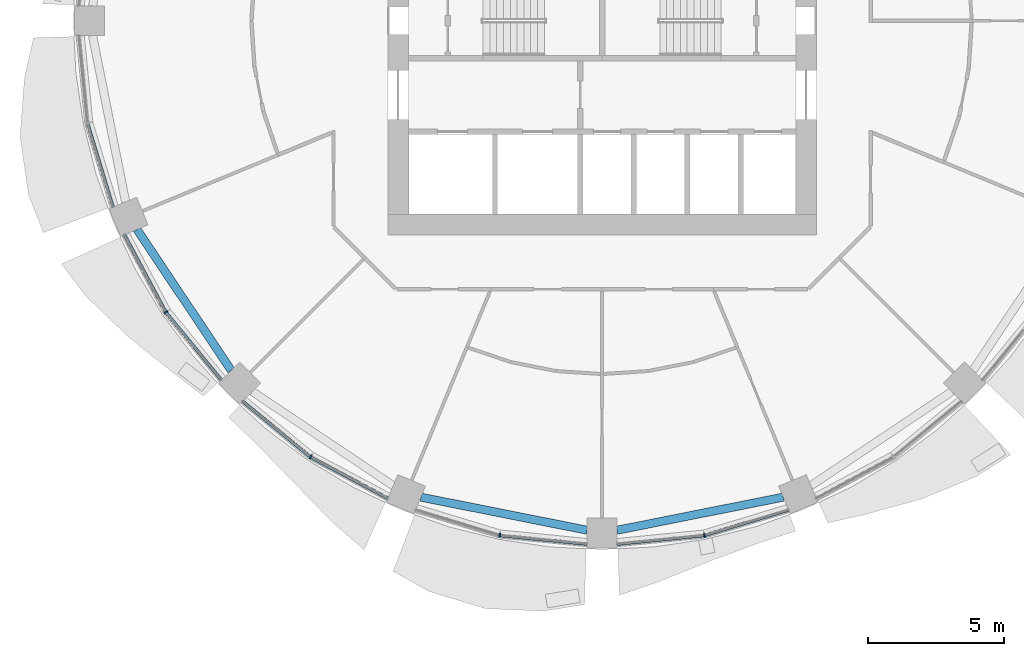
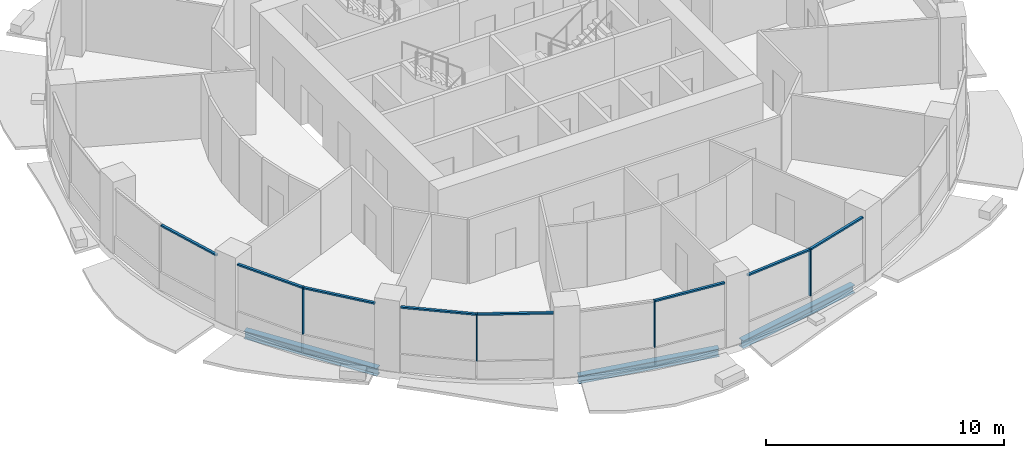
# One storey, part 2 of 15: 12 members, 3 beams, 5 elements without a shape of their own.
"""IFC4 building model written with IfcOpenShell, lengths in metres."""

from ifc_helpers import new_model, si_unit, direction, frame, origin, origin_2d, place, context, subcontext, project, spatial, rectangle, i_section, extrude, material, material_profile, profile_set, type_object, element, aggregate, save


model = new_model("IFC4")

# Units and contexts
model_context = context("Model", 3, precision=1e-05, world=origin(), true_north=direction((0.0, 1.0)))
body_context = subcontext(model_context, "Body", "Model", "MODEL_VIEW")
ifc_project = project(units=[si_unit("LENGTHUNIT", "METRE"), si_unit("AREAUNIT", "SQUARE_METRE"), si_unit("VOLUMEUNIT", "CUBIC_METRE"), si_unit("PLANEANGLEUNIT", "RADIAN"), si_unit("MASSUNIT", "GRAM", prefix="KILO")], contexts=[model_context])

# Site, building, storey
site_placement = place(None, origin())
site = spatial("IfcSite", under=ifc_project, at=site_placement, CompositionType="ELEMENT")
building_placement = place(site_placement, origin())
building = spatial("IfcBuilding", under=site, at=building_placement, Name="Polderwave Tower", CompositionType="ELEMENT")
storey_placement = place(building_placement, frame((0.0, 0.0, 80.050048828125)))
storey = spatial("IfcBuildingStorey", under=building, at=storey_placement, Name="L20", CompositionType="ELEMENT", Elevation=80.050048828125)

# Curtain wall, member
ifc_material_1 = material(Name="Aluminium 6063-T6 and glass", Category="aluminium")
curtain_wall_type = type_object("IfcCurtainWallType", Name="Growing floor ribbon glazing wall", PredefinedType="NOTDEFINED", material=ifc_material_1)
curtain_wall_1_placement = place(storey_placement, origin())
curtain_wall_1 = element("IfcCurtainWall", 1, at=curtain_wall_1_placement, inside=storey, type_object=curtain_wall_type, Name="CW2 L20 09", PredefinedType="NOTDEFINED")
ifc_material_2 = material(Name="Aluminium 6063-T6", Category="aluminium")
ifc_material_profile_1 = material_profile(ifc_material_2, rectangle(XDim=0.14990234375, YDim=0.06005859375, at=origin_2d()), Name="AL 60x150")
ifc_profile_set_1 = profile_set([ifc_material_profile_1], Name="Aluminium 6063-T6")
member_type_1 = type_object("IfcMemberType", Name="Growing floor ribbon glazing mullion 60x150", PredefinedType="MULLION", material=ifc_profile_set_1)
member_1_placement = place(storey_placement, frame((-16.0390625, -10.717041015625, 0.89990234375), z_axis=(0.0, 0.0, 1.0), x_axis=(0.831519061311, 0.555496220219, 0.0)))
member_1 = element("IfcMember", 2, at=member_1_placement, type_object=member_type_1, Name="CW2 mullion 1", PredefinedType="MULLION", context=body_context, shape_type="SweptSolid", body=[
    extrude(rectangle(XDim=0.14990234375, YDim=0.06005859375, at=origin_2d()), origin(), (0.0, 0.0, 1.0), 2.400146484375),
])

curtain_wall_2_placement = place(storey_placement, origin())
curtain_wall_2 = element("IfcCurtainWall", 3, at=curtain_wall_2_placement, inside=storey, type_object=curtain_wall_type, Name="CW2 L20 10", PredefinedType="NOTDEFINED")
member_2_placement = place(storey_placement, frame((-10.717041015625, -16.0390625, 0.89990234375), z_axis=(0.0, 0.0, 1.0), x_axis=(0.555496220219, 0.831519061311, 0.0)))
member_2 = element("IfcMember", 4, at=member_2_placement, type_object=member_type_1, Name="CW2 mullion 1", PredefinedType="MULLION", context=body_context, shape_type="SweptSolid", body=[
    extrude(rectangle(XDim=0.14990234375, YDim=0.06005859375, at=origin_2d()), origin(), (0.0, 0.0, 1.0), 2.400146484375),
])

curtain_wall_3_placement = place(storey_placement, origin())
curtain_wall_3 = element("IfcCurtainWall", 5, at=curtain_wall_3_placement, inside=storey, type_object=curtain_wall_type, Name="CW2 L20 11", PredefinedType="NOTDEFINED")
member_3_placement = place(storey_placement, frame((-3.762939453125, -18.9189453125, 0.89990234375), z_axis=(0.0, 0.0, 1.0), x_axis=(0.19512284598, 0.980778810424, 0.0)))
member_3 = element("IfcMember", 6, at=member_3_placement, type_object=member_type_1, Name="CW2 mullion 1", PredefinedType="MULLION", context=body_context, shape_type="SweptSolid", body=[
    extrude(rectangle(XDim=0.14990234375, YDim=0.06005859375, at=origin_2d()), origin(), (0.0, 0.0, 1.0), 2.400146484375),
])

curtain_wall_4_placement = place(storey_placement, origin())
curtain_wall_4 = element("IfcCurtainWall", 7, at=curtain_wall_4_placement, inside=storey, type_object=curtain_wall_type, Name="CW2 L20 12", PredefinedType="NOTDEFINED")
member_4_placement = place(storey_placement, frame((3.762939453125, -18.9189453125, 0.89990234375), z_axis=(0.0, 0.0, 1.0), x_axis=(-0.19512284598, 0.980778810424, 0.0)))
member_4 = element("IfcMember", 8, at=member_4_placement, type_object=member_type_1, Name="CW2 mullion 1", PredefinedType="MULLION", context=body_context, shape_type="SweptSolid", body=[
    extrude(rectangle(XDim=0.14990234375, YDim=0.06005859375, at=origin_2d()), origin(), (0.0, 0.0, 1.0), 2.400146484375),
])

curtain_wall_5_placement = place(storey_placement, origin())
curtain_wall_5 = element("IfcCurtainWall", 9, at=curtain_wall_5_placement, inside=storey, type_object=curtain_wall_type, Name="CW2 L20 08", PredefinedType="NOTDEFINED")
ifc_material_profile_2 = material_profile(ifc_material_2, rectangle(XDim=0.1201171875, YDim=0.080078125, at=origin_2d()), Name="AL 80x120")
ifc_profile_set_2 = profile_set([ifc_material_profile_2], Name="Aluminium 6063-T6")
member_type_2 = type_object("IfcMemberType", Name="Growing floor ribbon glazing transom 80x120", PredefinedType="USERDEFINED", material=ifc_profile_set_2)
member_5_placement = place(storey_placement, frame((-18.910400390625, -3.791748046875, 3.260009765625), z_axis=(0.290238267171, -0.956954412848, 0.0), x_axis=(0.956954412848, 0.290238267171, 0.0)))
member_5 = element("IfcMember", 10, at=member_5_placement, type_object=member_type_2, Name="CW2 transom 2", ObjectType="TRANSOM", PredefinedType="USERDEFINED", context=body_context, shape_type="SweptSolid", body=[
    extrude(rectangle(XDim=0.1201171875, YDim=0.080078125, at=origin_2d()), origin(), (0.0, 0.0, 1.0), 3.198974609375),
])
aggregate(curtain_wall_5, [member_5])

# Member
member_6_placement = place(storey_placement, frame((-17.56103515625, -7.868896484375, 3.260009765625), z_axis=(0.471376247819, -0.881932215645, 0.0), x_axis=(0.881932215645, 0.471376247819, 0.0)))
member_6 = element("IfcMember", 11, at=member_6_placement, type_object=member_type_2, Name="CW2 transom 1", ObjectType="TRANSOM", PredefinedType="USERDEFINED", context=body_context, shape_type="SweptSolid", body=[
    extrude(rectangle(XDim=0.1201171875, YDim=0.080078125, at=origin_2d()), origin(), (0.0, 0.0, 1.0), 3.19921875),
])

member_7_placement = place(storey_placement, frame((-16.02001953125, -10.740234375, 3.260009765625), z_axis=(0.634355209348, -0.773041698987, 0.0), x_axis=(0.773041698987, 0.634355209348, 0.0)))
member_7 = element("IfcMember", 12, at=member_7_placement, type_object=member_type_2, Name="CW2 transom 2", ObjectType="TRANSOM", PredefinedType="USERDEFINED", context=body_context, shape_type="SweptSolid", body=[
    extrude(rectangle(XDim=0.1201171875, YDim=0.080078125, at=origin_2d()), origin(), (0.0, 0.0, 1.0), 3.198486328125),
])

aggregate(curtain_wall_1, [member_1, member_6, member_7])

member_8_placement = place(storey_placement, frame((-13.212890625, -13.990966796875, 3.260009765625), z_axis=(0.773041698987, -0.634355209348, 0.0), x_axis=(0.634355209348, 0.773041698987, 0.0)))
member_8 = element("IfcMember", 13, at=member_8_placement, type_object=member_type_2, Name="CW2 transom 1", ObjectType="TRANSOM", PredefinedType="USERDEFINED", context=body_context, shape_type="SweptSolid", body=[
    extrude(rectangle(XDim=0.1201171875, YDim=0.080078125, at=origin_2d()), origin(), (0.0, 0.0, 1.0), 3.198486328125),
])

member_9_placement = place(storey_placement, frame((-10.6904296875, -16.052978515625, 3.260009765625), z_axis=(0.881932215645, -0.471376247819, 0.0), x_axis=(0.471376247819, 0.881932215645, 0.0)))
member_9 = element("IfcMember", 14, at=member_9_placement, type_object=member_type_2, Name="CW2 transom 2", ObjectType="TRANSOM", PredefinedType="USERDEFINED", context=body_context, shape_type="SweptSolid", body=[
    extrude(rectangle(XDim=0.1201171875, YDim=0.080078125, at=origin_2d()), origin(), (0.0, 0.0, 1.0), 3.19921875),
])

aggregate(curtain_wall_2, [member_2, member_8, member_9])

member_10_placement = place(storey_placement, frame((-3.733154296875, -18.921875, 3.260009765625), z_axis=(0.995163341514, -0.098234025198, 0.0), x_axis=(0.098234025198, 0.995163341514, 0.0)))
member_10 = element("IfcMember", 15, at=member_10_placement, type_object=member_type_2, Name="CW2 transom 2", ObjectType="TRANSOM", PredefinedType="USERDEFINED", context=body_context, shape_type="SweptSolid", body=[
    extrude(rectangle(XDim=0.1201171875, YDim=0.080078125, at=origin_2d()), origin(), (0.0, 0.0, 1.0), 3.198486328125),
])

aggregate(curtain_wall_3, [member_3, member_10])

member_11_placement = place(storey_placement, frame((0.550048828125, -19.236083984375, 3.260009765625), z_axis=(0.995163341514, 0.098234025198, 0.0), x_axis=(-0.098234025198, 0.995163341514, 0.0)))
member_11 = element("IfcMember", 16, at=member_11_placement, type_object=member_type_2, Name="CW2 transom 1", ObjectType="TRANSOM", PredefinedType="USERDEFINED", context=body_context, shape_type="SweptSolid", body=[
    extrude(rectangle(XDim=0.1201171875, YDim=0.080078125, at=origin_2d()), origin(), (0.0, 0.0, 1.0), 3.198486328125),
])

member_12_placement = place(storey_placement, frame((3.791748046875, -18.910400390625, 3.260009765625), z_axis=(0.956954412848, 0.290238267171, 0.0), x_axis=(-0.290238267171, 0.956954412848, 0.0)))
member_12 = element("IfcMember", 17, at=member_12_placement, type_object=member_type_2, Name="CW2 transom 2", ObjectType="TRANSOM", PredefinedType="USERDEFINED", context=body_context, shape_type="SweptSolid", body=[
    extrude(rectangle(XDim=0.1201171875, YDim=0.080078125, at=origin_2d()), origin(), (0.0, 0.0, 1.0), 3.198974609375),
])

aggregate(curtain_wall_4, [member_4, member_11, member_12])

# Beams
ifc_material_3 = material(Name="Steel S355", Category="steel")
ifc_material_profile_3 = material_profile(ifc_material_3, i_section(OverallWidth=0.300048828125, OverallDepth=0.39990234375, WebThickness=0.013427734375, FlangeThickness=0.02392578125, at=origin_2d()), Name="HE 400 B")
ifc_profile_set_3 = profile_set([ifc_material_profile_3], Name="Steel S355")
beam_type = type_object("IfcBeamType", Name="RING BEAM HE 400 B", PredefinedType="BEAM", material=ifc_profile_set_3)
beam_placement = place(storey_placement, frame((-17.09423828125, -7.676025390625, -0.550048828125), z_axis=(0.555541024975, -0.831489127752, 0.0), x_axis=(0.831489127752, 0.555541024975, 0.0)))
element("IfcBeam", 18, at=beam_placement, inside=storey, type_object=beam_type, Name="ST-RB-L20-09", PredefinedType="BEAM", context=body_context, shape_type="SweptSolid", body=[
    extrude(i_section(OverallWidth=0.300048828125, OverallDepth=0.39990234375, WebThickness=0.013427734375, FlangeThickness=0.02392578125, at=origin_2d()), origin(), (0.0, 0.0, 1.0), 6.2294921875),
])
for number, where, z_axis, x_axis, name in (
    (19, (-6.65966796875, -17.515380859375, -0.550048828125), (0.980783645519, -0.195098540955, 0.0), (0.195098540955, 0.980783645519, 0.0), "ST-RB-L20-11"),
    (20, (0.550048828125, -18.730712890625, -0.550048828125), (0.980783645519, 0.195098540955, 0.0), (-0.195098540955, 0.980783645519, 0.0), "ST-RB-L20-12"),
):
    element("IfcBeam", number, at=place(storey_placement, frame(where, z_axis=z_axis, x_axis=x_axis)), inside=storey, type_object=beam_type, Name=name, PredefinedType="BEAM", context=body_context, shape_type="SweptSolid", body=[
        extrude(i_section(OverallWidth=0.300048828125, OverallDepth=0.39990234375, WebThickness=0.013427734375, FlangeThickness=0.02392578125, at=origin_2d()), origin(), (0.0, 0.0, 1.0), 6.229248046875),
    ])

save(model, "model.ifc")
